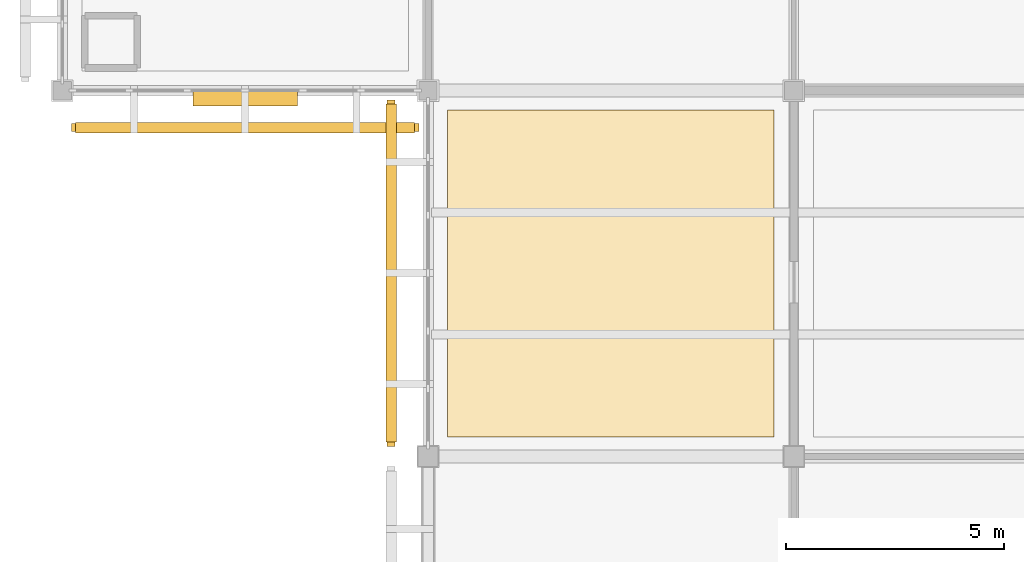
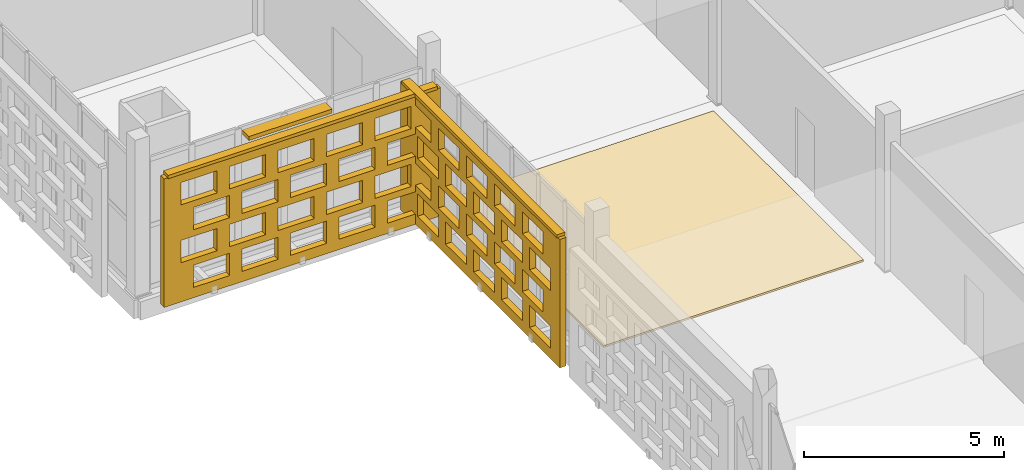
# One storey, part 142 of 203: 3 coverings, 3 shading devices, 40 openings.
"""IFC4 building model written with IfcOpenShell, lengths in metres."""

from ifc_helpers import new_model, si_unit, direction, frame, frame_2d, origin, origin_2d, place, context, subcontext, project, spatial, rectangle, extrude, material, layer, layer_set, type_object, element, save


model = new_model("IFC4")

# Units and contexts
model_context = context("Model", 3, precision=1e-05, world=origin(), true_north=direction((0.0, 1.0)))
body_context = subcontext(model_context, "Body", "Model", "MODEL_VIEW")
ifc_project = project(units=[si_unit("LENGTHUNIT", "METRE"), si_unit("AREAUNIT", "SQUARE_METRE"), si_unit("VOLUMEUNIT", "CUBIC_METRE"), si_unit("PLANEANGLEUNIT", "RADIAN"), si_unit("MASSUNIT", "GRAM", prefix="KILO")], contexts=[model_context])

# Site, building, storey
site_placement = place(None, origin())
site = spatial("IfcSite", under=ifc_project, at=site_placement, CompositionType="ELEMENT")
building_placement = place(site_placement, origin())
building = spatial("IfcBuilding", under=site, at=building_placement, Name="Varnapada Polytechnic", CompositionType="ELEMENT")
storey_placement = place(building_placement, frame((0.0, 0.0, 4.800048828125)))
storey = spatial("IfcBuildingStorey", under=building, at=storey_placement, Name="L01", CompositionType="ELEMENT", Elevation=4.800048828125)

# Covering
ifc_material_1 = material(Name="End-Grain Timber Studio Block Flooring", Category="wood")
ifc_layer_1 = layer(ifc_material_1, 0.054931640625)
ifc_layer_set_1 = layer_set([ifc_layer_1], Name="End-Grain Timber Studio Block Flooring")
covering_type_1 = type_object("IfcCoveringType", Name="Floor Finish FLR-04", PredefinedType="FLOORING", material=ifc_layer_set_1)
covering_1_placement = place(storey_placement, frame((12.60009765625, 37.800048828125, 0.0), z_axis=(0.0, 0.0, 1.0), x_axis=(1.0, 0.0, 0.0)))
element("IfcCovering", 1, at=covering_1_placement, inside=storey, type_object=covering_type_1, Name="L01 floor finish panel (2,5)", PredefinedType="FLOORING", context=body_context, shape_type="SweptSolid", body=[
    extrude(rectangle(XDim=7.5, YDim=7.5, at=origin_2d()), origin(), (0.0, 0.0, 1.0), 0.054931640625),
])

# Shading device
ifc_material_2 = material(Name="Anodised aluminium", Category="aluminium")
ifc_layer_2 = layer(ifc_material_2, 0.35009765625)
ifc_layer_set_2 = layer_set([ifc_layer_2], Name="Anodised aluminium")
shading_device_type_1 = type_object("IfcShadingDeviceType", Name="Solar Louvre LVR-01", PredefinedType="JALOUSIE", material=ifc_layer_set_2)
shading_device_1_placement = place(storey_placement, frame((4.199951171875, 41.820068359375, 3.760009765625), z_axis=(0.0, 0.0, 1.0), x_axis=(-1.0, 0.0, 0.0)))
element("IfcShadingDevice", 2, at=shading_device_1_placement, inside=storey, type_object=shading_device_type_1, Name="L01 aluminium sun louvre 1", PredefinedType="JALOUSIE", context=body_context, shape_type="SweptSolid", body=[
    extrude(rectangle(XDim=2.39990234375, YDim=0.340087890625, at=origin_2d()), origin(), (0.0, 0.0, 1.0), 0.1201171875),
])

# Covering, openings
ifc_material_3 = material(Name="Earth-toned architectural terracotta screen block", Category="masonry")
ifc_layer_3 = layer(ifc_material_3, 0.1201171875)
ifc_layer_set_3 = layer_set([ifc_layer_3], Name="Earth-toned architectural terracotta screen block")
covering_type_2 = type_object("IfcCoveringType", Name="Terracotta Screen Cladding CLD-01", PredefinedType="CLADDING", material=ifc_layer_set_3)
covering_2_placement = place(storey_placement, frame((8.18994140625, 41.14990234375, 0.0), z_axis=(0.0, 0.0, 1.0), x_axis=(-1.0, 0.0, 0.0)))
covering_2 = element("IfcCovering", 3, at=covering_2_placement, inside=storey, type_object=covering_type_2, Name="L01 perforated terracotta block screen (1)", PredefinedType="CLADDING", context=body_context, shape_type="SweptSolid", body=[
    extrude(rectangle(XDim=7.97998046875, YDim=0.179931640625, at=frame_2d((3.989990234375, 0.0))), origin(), (0.0, 0.0, 1.0), 3.919921875),
])
opening_1_placement = place(covering_2_placement, frame((0.489990234375, 0.0, 0.313720703125)))
element("IfcOpeningElement", 4, at=opening_1_placement, cuts=covering_2, Name="Screen perforation TBS-L01-000.1", PredefinedType="OPENING", context=body_context, shape_type="SweptSolid", body=[
    extrude(rectangle(XDim=1.0400390625, YDim=0.679931640625, at=frame_2d((0.52001953125, 0.33984375))), frame((0.0, 0.099853515625, 0.0), z_axis=(0.0, -1.0, 0.0), x_axis=(1.0, 0.0, 0.0)), (0.0, 0.0, 1.0), 0.199951171875),
])
opening_2_placement = place(covering_2_placement, frame((1.889892578125, 0.0, 0.313720703125)))
element("IfcOpeningElement", 5, at=opening_2_placement, cuts=covering_2, Name="Screen perforation TBS-L01-000.2", PredefinedType="OPENING", context=body_context, shape_type="SweptSolid", body=[
    extrude(rectangle(XDim=1.0400390625, YDim=0.679931640625, at=frame_2d((0.52001953125, 0.33984375))), frame((0.0, 0.099853515625, 0.0), z_axis=(0.0, -1.0, 0.0), x_axis=(1.0, 0.0, 0.0)), (0.0, 0.0, 1.0), 0.199951171875),
])
opening_3_placement = place(covering_2_placement, frame((3.2900390625, 0.0, 0.313720703125)))
element("IfcOpeningElement", 6, at=opening_3_placement, cuts=covering_2, Name="Screen perforation TBS-L01-000.3", PredefinedType="OPENING", context=body_context, shape_type="SweptSolid", body=[
    extrude(rectangle(XDim=1.0400390625, YDim=0.679931640625, at=frame_2d((0.52001953125, 0.33984375))), frame((0.0, 0.099853515625, 0.0), z_axis=(0.0, -1.0, 0.0), x_axis=(1.0, 0.0, 0.0)), (0.0, 0.0, 1.0), 0.199951171875),
])
opening_4_placement = place(covering_2_placement, frame((4.68994140625, 0.0, 0.313720703125)))
element("IfcOpeningElement", 7, at=opening_4_placement, cuts=covering_2, Name="Screen perforation TBS-L01-000.4", PredefinedType="OPENING", context=body_context, shape_type="SweptSolid", body=[
    extrude(rectangle(XDim=1.0400390625, YDim=0.679931640625, at=frame_2d((0.52001953125, 0.33984375))), frame((0.0, 0.099853515625, 0.0), z_axis=(0.0, -1.0, 0.0), x_axis=(1.0, 0.0, 0.0)), (0.0, 0.0, 1.0), 0.199951171875),
])
opening_5_placement = place(covering_2_placement, frame((6.090087890625, 0.0, 0.313720703125)))
element("IfcOpeningElement", 8, at=opening_5_placement, cuts=covering_2, Name="Screen perforation TBS-L01-000.5", PredefinedType="OPENING", context=body_context, shape_type="SweptSolid", body=[
    extrude(rectangle(XDim=1.0400390625, YDim=0.679931640625, at=frame_2d((0.52001953125, 0.33984375))), frame((0.0, 0.099853515625, 0.0), z_axis=(0.0, -1.0, 0.0), x_axis=(1.0, 0.0, 0.0)), (0.0, 0.0, 1.0), 0.199951171875),
])
opening_6_placement = place(covering_2_placement, frame((0.85009765625, 0.0, 1.195556640625)))
element("IfcOpeningElement", 9, at=opening_6_placement, cuts=covering_2, Name="Screen perforation TBS-L01-000.6", PredefinedType="OPENING", context=body_context, shape_type="SweptSolid", body=[
    extrude(rectangle(XDim=1.0400390625, YDim=0.679931640625, at=frame_2d((0.52001953125, 0.33984375))), frame((0.0, 0.099853515625, 0.0), z_axis=(0.0, -1.0, 0.0), x_axis=(1.0, 0.0, 0.0)), (0.0, 0.0, 1.0), 0.199951171875),
])
opening_7_placement = place(covering_2_placement, frame((2.25, 0.0, 1.195556640625)))
element("IfcOpeningElement", 10, at=opening_7_placement, cuts=covering_2, Name="Screen perforation TBS-L01-000.7", PredefinedType="OPENING", context=body_context, shape_type="SweptSolid", body=[
    extrude(rectangle(XDim=1.0400390625, YDim=0.679931640625, at=frame_2d((0.52001953125, 0.33984375))), frame((0.0, 0.099853515625, 0.0), z_axis=(0.0, -1.0, 0.0), x_axis=(1.0, 0.0, 0.0)), (0.0, 0.0, 1.0), 0.199951171875),
])
opening_8_placement = place(covering_2_placement, frame((3.64990234375, 0.0, 1.195556640625)))
element("IfcOpeningElement", 11, at=opening_8_placement, cuts=covering_2, Name="Screen perforation TBS-L01-000.8", PredefinedType="OPENING", context=body_context, shape_type="SweptSolid", body=[
    extrude(rectangle(XDim=1.0400390625, YDim=0.679931640625, at=frame_2d((0.52001953125, 0.33984375))), frame((0.0, 0.099853515625, 0.0), z_axis=(0.0, -1.0, 0.0), x_axis=(1.0, 0.0, 0.0)), (0.0, 0.0, 1.0), 0.199951171875),
])
opening_9_placement = place(covering_2_placement, frame((5.050048828125, 0.0, 1.195556640625)))
element("IfcOpeningElement", 12, at=opening_9_placement, cuts=covering_2, Name="Screen perforation TBS-L01-000.9", PredefinedType="OPENING", context=body_context, shape_type="SweptSolid", body=[
    extrude(rectangle(XDim=1.0400390625, YDim=0.679931640625, at=frame_2d((0.52001953125, 0.33984375))), frame((0.0, 0.099853515625, 0.0), z_axis=(0.0, -1.0, 0.0), x_axis=(1.0, 0.0, 0.0)), (0.0, 0.0, 1.0), 0.199951171875),
])
opening_10_placement = place(covering_2_placement, frame((6.449951171875, 0.0, 1.195556640625)))
element("IfcOpeningElement", 13, at=opening_10_placement, cuts=covering_2, Name="Screen perforation TBS-L01-000.10", PredefinedType="OPENING", context=body_context, shape_type="SweptSolid", body=[
    extrude(rectangle(XDim=1.0400390625, YDim=0.679931640625, at=frame_2d((0.52001953125, 0.33984375))), frame((0.0, 0.099853515625, 0.0), z_axis=(0.0, -1.0, 0.0), x_axis=(1.0, 0.0, 0.0)), (0.0, 0.0, 1.0), 0.199951171875),
])
opening_11_placement = place(covering_2_placement, frame((0.489990234375, 0.0, 2.07763671875)))
element("IfcOpeningElement", 14, at=opening_11_placement, cuts=covering_2, Name="Screen perforation TBS-L01-000.11", PredefinedType="OPENING", context=body_context, shape_type="SweptSolid", body=[
    extrude(rectangle(XDim=1.0400390625, YDim=0.679931640625, at=frame_2d((0.52001953125, 0.33984375))), frame((0.0, 0.099853515625, 0.0), z_axis=(0.0, -1.0, 0.0), x_axis=(1.0, 0.0, 0.0)), (0.0, 0.0, 1.0), 0.199951171875),
])
opening_12_placement = place(covering_2_placement, frame((1.889892578125, 0.0, 2.07763671875)))
element("IfcOpeningElement", 15, at=opening_12_placement, cuts=covering_2, Name="Screen perforation TBS-L01-000.12", PredefinedType="OPENING", context=body_context, shape_type="SweptSolid", body=[
    extrude(rectangle(XDim=1.0400390625, YDim=0.679931640625, at=frame_2d((0.52001953125, 0.33984375))), frame((0.0, 0.099853515625, 0.0), z_axis=(0.0, -1.0, 0.0), x_axis=(1.0, 0.0, 0.0)), (0.0, 0.0, 1.0), 0.199951171875),
])
opening_13_placement = place(covering_2_placement, frame((3.2900390625, 0.0, 2.07763671875)))
element("IfcOpeningElement", 16, at=opening_13_placement, cuts=covering_2, Name="Screen perforation TBS-L01-000.13", PredefinedType="OPENING", context=body_context, shape_type="SweptSolid", body=[
    extrude(rectangle(XDim=1.0400390625, YDim=0.679931640625, at=frame_2d((0.52001953125, 0.33984375))), frame((0.0, 0.099853515625, 0.0), z_axis=(0.0, -1.0, 0.0), x_axis=(1.0, 0.0, 0.0)), (0.0, 0.0, 1.0), 0.199951171875),
])
opening_14_placement = place(covering_2_placement, frame((4.68994140625, 0.0, 2.07763671875)))
element("IfcOpeningElement", 17, at=opening_14_placement, cuts=covering_2, Name="Screen perforation TBS-L01-000.14", PredefinedType="OPENING", context=body_context, shape_type="SweptSolid", body=[
    extrude(rectangle(XDim=1.0400390625, YDim=0.679931640625, at=frame_2d((0.52001953125, 0.33984375))), frame((0.0, 0.099853515625, 0.0), z_axis=(0.0, -1.0, 0.0), x_axis=(1.0, 0.0, 0.0)), (0.0, 0.0, 1.0), 0.199951171875),
])
opening_15_placement = place(covering_2_placement, frame((6.090087890625, 0.0, 2.07763671875)))
element("IfcOpeningElement", 18, at=opening_15_placement, cuts=covering_2, Name="Screen perforation TBS-L01-000.15", PredefinedType="OPENING", context=body_context, shape_type="SweptSolid", body=[
    extrude(rectangle(XDim=1.0400390625, YDim=0.679931640625, at=frame_2d((0.52001953125, 0.33984375))), frame((0.0, 0.099853515625, 0.0), z_axis=(0.0, -1.0, 0.0), x_axis=(1.0, 0.0, 0.0)), (0.0, 0.0, 1.0), 0.199951171875),
])
opening_16_placement = place(covering_2_placement, frame((0.85009765625, 0.0, 2.959716796875)))
element("IfcOpeningElement", 19, at=opening_16_placement, cuts=covering_2, Name="Screen perforation TBS-L01-000.16", PredefinedType="OPENING", context=body_context, shape_type="SweptSolid", body=[
    extrude(rectangle(XDim=1.0400390625, YDim=0.679931640625, at=frame_2d((0.52001953125, 0.33984375))), frame((0.0, 0.099853515625, 0.0), z_axis=(0.0, -1.0, 0.0), x_axis=(1.0, 0.0, 0.0)), (0.0, 0.0, 1.0), 0.199951171875),
])
opening_17_placement = place(covering_2_placement, frame((2.25, 0.0, 2.959716796875)))
element("IfcOpeningElement", 20, at=opening_17_placement, cuts=covering_2, Name="Screen perforation TBS-L01-000.17", PredefinedType="OPENING", context=body_context, shape_type="SweptSolid", body=[
    extrude(rectangle(XDim=1.0400390625, YDim=0.679931640625, at=frame_2d((0.52001953125, 0.33984375))), frame((0.0, 0.099853515625, 0.0), z_axis=(0.0, -1.0, 0.0), x_axis=(1.0, 0.0, 0.0)), (0.0, 0.0, 1.0), 0.199951171875),
])
opening_18_placement = place(covering_2_placement, frame((3.64990234375, 0.0, 2.959716796875)))
element("IfcOpeningElement", 21, at=opening_18_placement, cuts=covering_2, Name="Screen perforation TBS-L01-000.18", PredefinedType="OPENING", context=body_context, shape_type="SweptSolid", body=[
    extrude(rectangle(XDim=1.0400390625, YDim=0.679931640625, at=frame_2d((0.52001953125, 0.33984375))), frame((0.0, 0.099853515625, 0.0), z_axis=(0.0, -1.0, 0.0), x_axis=(1.0, 0.0, 0.0)), (0.0, 0.0, 1.0), 0.199951171875),
])
opening_19_placement = place(covering_2_placement, frame((5.050048828125, 0.0, 2.959716796875)))
element("IfcOpeningElement", 22, at=opening_19_placement, cuts=covering_2, Name="Screen perforation TBS-L01-000.19", PredefinedType="OPENING", context=body_context, shape_type="SweptSolid", body=[
    extrude(rectangle(XDim=1.0400390625, YDim=0.679931640625, at=frame_2d((0.52001953125, 0.33984375))), frame((0.0, 0.099853515625, 0.0), z_axis=(0.0, -1.0, 0.0), x_axis=(1.0, 0.0, 0.0)), (0.0, 0.0, 1.0), 0.199951171875),
])
opening_20_placement = place(covering_2_placement, frame((6.449951171875, 0.0, 2.959716796875)))
element("IfcOpeningElement", 23, at=opening_20_placement, cuts=covering_2, Name="Screen perforation TBS-L01-000.20", PredefinedType="OPENING", context=body_context, shape_type="SweptSolid", body=[
    extrude(rectangle(XDim=1.0400390625, YDim=0.679931640625, at=frame_2d((0.52001953125, 0.33984375))), frame((0.0, 0.099853515625, 0.0), z_axis=(0.0, -1.0, 0.0), x_axis=(1.0, 0.0, 0.0)), (0.0, 0.0, 1.0), 0.199951171875),
])

covering_3_placement = place(storey_placement, frame((7.550048828125, 33.830078125, 0.0), z_axis=(0.0, 0.0, 1.0), x_axis=(0.0, 1.0, 0.0)))
covering_3 = element("IfcCovering", 24, at=covering_3_placement, inside=storey, type_object=covering_type_2, Name="L01 perforated terracotta block screen (18)", PredefinedType="CLADDING", context=body_context, shape_type="SweptSolid", body=[
    extrude(rectangle(XDim=7.9599609375, YDim=0.179931640625, at=frame_2d((3.97998046875, 0.0))), origin(), (0.0, 0.0, 1.0), 3.919921875),
])
opening_21_placement = place(covering_3_placement, frame((0.47998046875, 0.0, 0.313720703125)))
element("IfcOpeningElement", 25, at=opening_21_placement, cuts=covering_3, Name="Screen perforation TBS-L01-017.1", PredefinedType="OPENING", context=body_context, shape_type="SweptSolid", body=[
    extrude(rectangle(XDim=1.0400390625, YDim=0.679931640625, at=frame_2d((0.52001953125, 0.33984375))), frame((0.0, 0.099853515625, 0.0), z_axis=(0.0, -1.0, 0.0), x_axis=(1.0, 0.0, 0.0)), (0.0, 0.0, 1.0), 0.199951171875),
])
opening_22_placement = place(covering_3_placement, frame((1.8798828125, 0.0, 0.313720703125)))
element("IfcOpeningElement", 26, at=opening_22_placement, cuts=covering_3, Name="Screen perforation TBS-L01-017.2", PredefinedType="OPENING", context=body_context, shape_type="SweptSolid", body=[
    extrude(rectangle(XDim=1.0400390625, YDim=0.679931640625, at=frame_2d((0.52001953125, 0.33984375))), frame((0.0, 0.099853515625, 0.0), z_axis=(0.0, -1.0, 0.0), x_axis=(1.0, 0.0, 0.0)), (0.0, 0.0, 1.0), 0.199951171875),
])
opening_23_placement = place(covering_3_placement, frame((3.280029296875, 0.0, 0.313720703125)))
element("IfcOpeningElement", 27, at=opening_23_placement, cuts=covering_3, Name="Screen perforation TBS-L01-017.3", PredefinedType="OPENING", context=body_context, shape_type="SweptSolid", body=[
    extrude(rectangle(XDim=1.0400390625, YDim=0.679931640625, at=frame_2d((0.52001953125, 0.33984375))), frame((0.0, 0.099853515625, 0.0), z_axis=(0.0, -1.0, 0.0), x_axis=(1.0, 0.0, 0.0)), (0.0, 0.0, 1.0), 0.199951171875),
])
opening_24_placement = place(covering_3_placement, frame((4.679931640625, 0.0, 0.313720703125)))
element("IfcOpeningElement", 28, at=opening_24_placement, cuts=covering_3, Name="Screen perforation TBS-L01-017.4", PredefinedType="OPENING", context=body_context, shape_type="SweptSolid", body=[
    extrude(rectangle(XDim=1.0400390625, YDim=0.679931640625, at=frame_2d((0.52001953125, 0.33984375))), frame((0.0, 0.099853515625, 0.0), z_axis=(0.0, -1.0, 0.0), x_axis=(1.0, 0.0, 0.0)), (0.0, 0.0, 1.0), 0.199951171875),
])
opening_25_placement = place(covering_3_placement, frame((6.080078125, 0.0, 0.313720703125)))
element("IfcOpeningElement", 29, at=opening_25_placement, cuts=covering_3, Name="Screen perforation TBS-L01-017.5", PredefinedType="OPENING", context=body_context, shape_type="SweptSolid", body=[
    extrude(rectangle(XDim=1.0400390625, YDim=0.679931640625, at=frame_2d((0.52001953125, 0.33984375))), frame((0.0, 0.099853515625, 0.0), z_axis=(0.0, -1.0, 0.0), x_axis=(1.0, 0.0, 0.0)), (0.0, 0.0, 1.0), 0.199951171875),
])
opening_26_placement = place(covering_3_placement, frame((0.840087890625, 0.0, 1.195556640625)))
element("IfcOpeningElement", 30, at=opening_26_placement, cuts=covering_3, Name="Screen perforation TBS-L01-017.6", PredefinedType="OPENING", context=body_context, shape_type="SweptSolid", body=[
    extrude(rectangle(XDim=1.0400390625, YDim=0.679931640625, at=frame_2d((0.52001953125, 0.33984375))), frame((0.0, 0.099853515625, 0.0), z_axis=(0.0, -1.0, 0.0), x_axis=(1.0, 0.0, 0.0)), (0.0, 0.0, 1.0), 0.199951171875),
])
opening_27_placement = place(covering_3_placement, frame((2.239990234375, 0.0, 1.195556640625)))
element("IfcOpeningElement", 31, at=opening_27_placement, cuts=covering_3, Name="Screen perforation TBS-L01-017.7", PredefinedType="OPENING", context=body_context, shape_type="SweptSolid", body=[
    extrude(rectangle(XDim=1.0400390625, YDim=0.679931640625, at=frame_2d((0.52001953125, 0.33984375))), frame((0.0, 0.099853515625, 0.0), z_axis=(0.0, -1.0, 0.0), x_axis=(1.0, 0.0, 0.0)), (0.0, 0.0, 1.0), 0.199951171875),
])
opening_28_placement = place(covering_3_placement, frame((3.639892578125, 0.0, 1.195556640625)))
element("IfcOpeningElement", 32, at=opening_28_placement, cuts=covering_3, Name="Screen perforation TBS-L01-017.8", PredefinedType="OPENING", context=body_context, shape_type="SweptSolid", body=[
    extrude(rectangle(XDim=1.0400390625, YDim=0.679931640625, at=frame_2d((0.52001953125, 0.33984375))), frame((0.0, 0.099853515625, 0.0), z_axis=(0.0, -1.0, 0.0), x_axis=(1.0, 0.0, 0.0)), (0.0, 0.0, 1.0), 0.199951171875),
])
opening_29_placement = place(covering_3_placement, frame((5.0400390625, 0.0, 1.195556640625)))
element("IfcOpeningElement", 33, at=opening_29_placement, cuts=covering_3, Name="Screen perforation TBS-L01-017.9", PredefinedType="OPENING", context=body_context, shape_type="SweptSolid", body=[
    extrude(rectangle(XDim=1.0400390625, YDim=0.679931640625, at=frame_2d((0.52001953125, 0.33984375))), frame((0.0, 0.099853515625, 0.0), z_axis=(0.0, -1.0, 0.0), x_axis=(1.0, 0.0, 0.0)), (0.0, 0.0, 1.0), 0.199951171875),
])
opening_30_placement = place(covering_3_placement, frame((6.43994140625, 0.0, 1.195556640625)))
element("IfcOpeningElement", 34, at=opening_30_placement, cuts=covering_3, Name="Screen perforation TBS-L01-017.10", PredefinedType="OPENING", context=body_context, shape_type="SweptSolid", body=[
    extrude(rectangle(XDim=1.0400390625, YDim=0.679931640625, at=frame_2d((0.52001953125, 0.33984375))), frame((0.0, 0.099853515625, 0.0), z_axis=(0.0, -1.0, 0.0), x_axis=(1.0, 0.0, 0.0)), (0.0, 0.0, 1.0), 0.199951171875),
])
opening_31_placement = place(covering_3_placement, frame((0.47998046875, 0.0, 2.07763671875)))
element("IfcOpeningElement", 35, at=opening_31_placement, cuts=covering_3, Name="Screen perforation TBS-L01-017.11", PredefinedType="OPENING", context=body_context, shape_type="SweptSolid", body=[
    extrude(rectangle(XDim=1.0400390625, YDim=0.679931640625, at=frame_2d((0.52001953125, 0.33984375))), frame((0.0, 0.099853515625, 0.0), z_axis=(0.0, -1.0, 0.0), x_axis=(1.0, 0.0, 0.0)), (0.0, 0.0, 1.0), 0.199951171875),
])
opening_32_placement = place(covering_3_placement, frame((1.8798828125, 0.0, 2.07763671875)))
element("IfcOpeningElement", 36, at=opening_32_placement, cuts=covering_3, Name="Screen perforation TBS-L01-017.12", PredefinedType="OPENING", context=body_context, shape_type="SweptSolid", body=[
    extrude(rectangle(XDim=1.0400390625, YDim=0.679931640625, at=frame_2d((0.52001953125, 0.33984375))), frame((0.0, 0.099853515625, 0.0), z_axis=(0.0, -1.0, 0.0), x_axis=(1.0, 0.0, 0.0)), (0.0, 0.0, 1.0), 0.199951171875),
])
opening_33_placement = place(covering_3_placement, frame((3.280029296875, 0.0, 2.07763671875)))
element("IfcOpeningElement", 37, at=opening_33_placement, cuts=covering_3, Name="Screen perforation TBS-L01-017.13", PredefinedType="OPENING", context=body_context, shape_type="SweptSolid", body=[
    extrude(rectangle(XDim=1.0400390625, YDim=0.679931640625, at=frame_2d((0.52001953125, 0.33984375))), frame((0.0, 0.099853515625, 0.0), z_axis=(0.0, -1.0, 0.0), x_axis=(1.0, 0.0, 0.0)), (0.0, 0.0, 1.0), 0.199951171875),
])
opening_34_placement = place(covering_3_placement, frame((4.679931640625, 0.0, 2.07763671875)))
element("IfcOpeningElement", 38, at=opening_34_placement, cuts=covering_3, Name="Screen perforation TBS-L01-017.14", PredefinedType="OPENING", context=body_context, shape_type="SweptSolid", body=[
    extrude(rectangle(XDim=1.0400390625, YDim=0.679931640625, at=frame_2d((0.52001953125, 0.33984375))), frame((0.0, 0.099853515625, 0.0), z_axis=(0.0, -1.0, 0.0), x_axis=(1.0, 0.0, 0.0)), (0.0, 0.0, 1.0), 0.199951171875),
])
opening_35_placement = place(covering_3_placement, frame((6.080078125, 0.0, 2.07763671875)))
element("IfcOpeningElement", 39, at=opening_35_placement, cuts=covering_3, Name="Screen perforation TBS-L01-017.15", PredefinedType="OPENING", context=body_context, shape_type="SweptSolid", body=[
    extrude(rectangle(XDim=1.0400390625, YDim=0.679931640625, at=frame_2d((0.52001953125, 0.33984375))), frame((0.0, 0.099853515625, 0.0), z_axis=(0.0, -1.0, 0.0), x_axis=(1.0, 0.0, 0.0)), (0.0, 0.0, 1.0), 0.199951171875),
])
opening_36_placement = place(covering_3_placement, frame((0.840087890625, 0.0, 2.959716796875)))
element("IfcOpeningElement", 40, at=opening_36_placement, cuts=covering_3, Name="Screen perforation TBS-L01-017.16", PredefinedType="OPENING", context=body_context, shape_type="SweptSolid", body=[
    extrude(rectangle(XDim=1.0400390625, YDim=0.679931640625, at=frame_2d((0.52001953125, 0.33984375))), frame((0.0, 0.099853515625, 0.0), z_axis=(0.0, -1.0, 0.0), x_axis=(1.0, 0.0, 0.0)), (0.0, 0.0, 1.0), 0.199951171875),
])
opening_37_placement = place(covering_3_placement, frame((2.239990234375, 0.0, 2.959716796875)))
element("IfcOpeningElement", 41, at=opening_37_placement, cuts=covering_3, Name="Screen perforation TBS-L01-017.17", PredefinedType="OPENING", context=body_context, shape_type="SweptSolid", body=[
    extrude(rectangle(XDim=1.0400390625, YDim=0.679931640625, at=frame_2d((0.52001953125, 0.33984375))), frame((0.0, 0.099853515625, 0.0), z_axis=(0.0, -1.0, 0.0), x_axis=(1.0, 0.0, 0.0)), (0.0, 0.0, 1.0), 0.199951171875),
])
opening_38_placement = place(covering_3_placement, frame((3.639892578125, 0.0, 2.959716796875)))
element("IfcOpeningElement", 42, at=opening_38_placement, cuts=covering_3, Name="Screen perforation TBS-L01-017.18", PredefinedType="OPENING", context=body_context, shape_type="SweptSolid", body=[
    extrude(rectangle(XDim=1.0400390625, YDim=0.679931640625, at=frame_2d((0.52001953125, 0.33984375))), frame((0.0, 0.099853515625, 0.0), z_axis=(0.0, -1.0, 0.0), x_axis=(1.0, 0.0, 0.0)), (0.0, 0.0, 1.0), 0.199951171875),
])
opening_39_placement = place(covering_3_placement, frame((5.0400390625, 0.0, 2.959716796875)))
element("IfcOpeningElement", 43, at=opening_39_placement, cuts=covering_3, Name="Screen perforation TBS-L01-017.19", PredefinedType="OPENING", context=body_context, shape_type="SweptSolid", body=[
    extrude(rectangle(XDim=1.0400390625, YDim=0.679931640625, at=frame_2d((0.52001953125, 0.33984375))), frame((0.0, 0.099853515625, 0.0), z_axis=(0.0, -1.0, 0.0), x_axis=(1.0, 0.0, 0.0)), (0.0, 0.0, 1.0), 0.199951171875),
])
opening_40_placement = place(covering_3_placement, frame((6.43994140625, 0.0, 2.959716796875)))
element("IfcOpeningElement", 44, at=opening_40_placement, cuts=covering_3, Name="Screen perforation TBS-L01-017.20", PredefinedType="OPENING", context=body_context, shape_type="SweptSolid", body=[
    extrude(rectangle(XDim=1.0400390625, YDim=0.679931640625, at=frame_2d((0.52001953125, 0.33984375))), frame((0.0, 0.099853515625, 0.0), z_axis=(0.0, -1.0, 0.0), x_axis=(1.0, 0.0, 0.0)), (0.0, 0.0, 1.0), 0.199951171875),
])

# Shading devices
ifc_layer_4 = layer(ifc_material_3, 0.179931640625)
ifc_layer_set_4 = layer_set([ifc_layer_4], Name="Earth-toned architectural terracotta screen block")
shading_device_type_2 = type_object("IfcShadingDeviceType", Name="Terracotta Screen SCR-02", PredefinedType="USERDEFINED", material=ifc_layer_set_4)
shading_device_2_placement = place(storey_placement, frame((4.199951171875, 41.14990234375, 3.909912109375), z_axis=(0.0, 0.0, 1.0), x_axis=(-1.0, 0.0, 0.0)))
element("IfcShadingDevice", 45, at=shading_device_2_placement, inside=storey, type_object=shading_device_type_2, Name="L01 perforated terracotta screen hood 84", ObjectType="SCREEN", PredefinedType="USERDEFINED", context=body_context, shape_type="SweptSolid", body=[
    extrude(rectangle(XDim=7.780029296875, YDim=0.239990234375, at=origin_2d()), origin(), (0.0, 0.0, 1.0), 0.10009765625),
])
shading_device_3_placement = place(storey_placement, frame((7.550048828125, 37.81005859375, 3.909912109375), z_axis=(0.0, 0.0, 1.0), x_axis=(0.0, 1.0, 0.0)))
element("IfcShadingDevice", 46, at=shading_device_3_placement, inside=storey, type_object=shading_device_type_2, Name="L01 perforated terracotta screen hood 100", ObjectType="SCREEN", PredefinedType="USERDEFINED", context=body_context, shape_type="SweptSolid", body=[
    extrude(rectangle(XDim=7.760009765625, YDim=0.239990234375, at=origin_2d()), origin(), (0.0, 0.0, 1.0), 0.10009765625),
])

save(model, "model.ifc")
